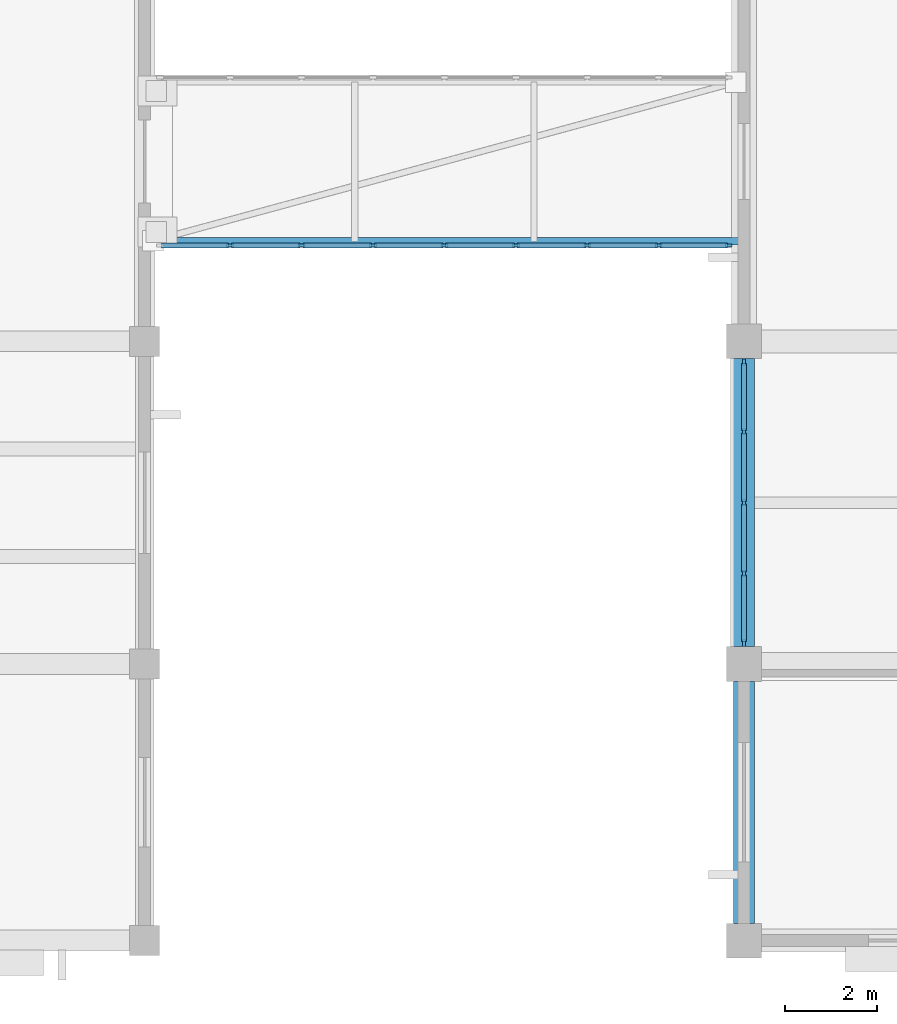
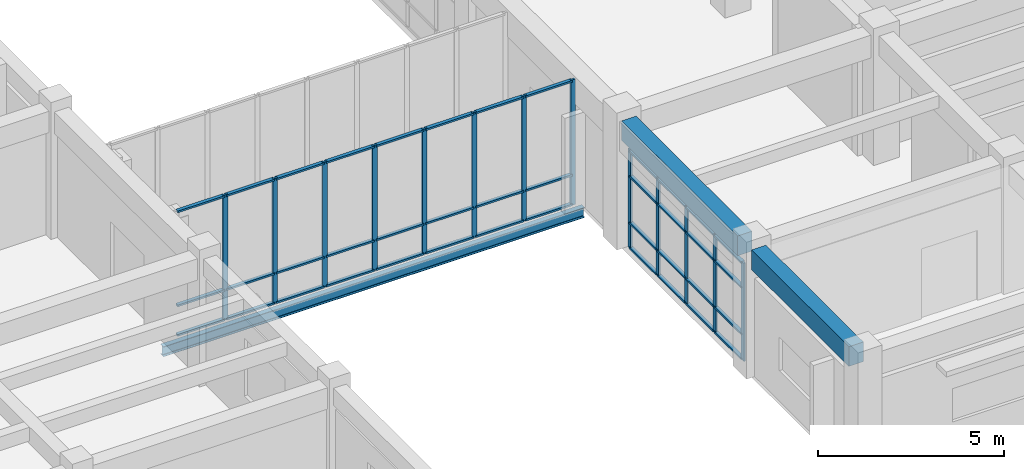
# One storey, part 20 of 70: 53 members, 3 beams, 2 elements without a shape of their own.
"""IFC4 building model written with IfcOpenShell, lengths in metres."""

from ifc_helpers import new_model, si_unit, direction, frame, origin, origin_2d, place, context, subcontext, project, spatial, rectangle, i_section, extrude, material, layer, layer_set, material_profile, profile_set, type_object, element, aggregate, save


model = new_model("IFC4")

# Units and contexts
model_context = context("Model", 3, precision=1e-05, world=origin(), true_north=direction((0.0, 1.0)))
body_context = subcontext(model_context, "Body", "Model", "MODEL_VIEW")
ifc_project = project(units=[si_unit("LENGTHUNIT", "METRE"), si_unit("AREAUNIT", "SQUARE_METRE"), si_unit("VOLUMEUNIT", "CUBIC_METRE"), si_unit("PLANEANGLEUNIT", "RADIAN"), si_unit("MASSUNIT", "GRAM", prefix="KILO")], contexts=[model_context])

# Site, building, storey
site_placement = place(None, origin())
site = spatial("IfcSite", under=ifc_project, at=site_placement, CompositionType="ELEMENT")
building_placement = place(site_placement, origin())
building = spatial("IfcBuilding", under=site, at=building_placement, Name="Naurynzar Civic Courthouse", CompositionType="ELEMENT")
storey_placement = place(building_placement, frame((0.0, 0.0, 5.39990234375)))
storey = spatial("IfcBuildingStorey", under=building, at=storey_placement, Name="L02", CompositionType="ELEMENT", Elevation=5.39990234375)

# Beams
ifc_material_1 = material(Name="Concrete C40/50", Category="concrete")
ifc_material_profile_1 = material_profile(ifc_material_1, rectangle(XDim=0.449951171875, YDim=0.64990234375, at=origin_2d()), Name="RCB 450x650")
ifc_profile_set_1 = profile_set([ifc_material_profile_1], Name="Concrete C40/50")
beam_type_1 = type_object("IfcBeamType", Name="BM-RC-450x650", PredefinedType="BEAM", material=ifc_profile_set_1)
beam_1_placement = place(storey_placement, frame((130.0, 4.375, 3.875), z_axis=(0.0, 1.0, 0.0), x_axis=(-1.0, 0.0, 0.0)))
element("IfcBeam", 1, at=beam_1_placement, inside=storey, type_object=beam_type_1, Name="V5 girder Y-2297 L02", PredefinedType="BEAM", context=body_context, shape_type="SweptSolid", body=[
    extrude(rectangle(XDim=0.449951171875, YDim=0.64990234375, at=origin_2d()), origin(), (0.0, 0.0, 1.0), 5.25),
])
beam_2_placement = place(storey_placement, frame((130.0, 10.375, 3.875), z_axis=(0.0, 1.0, 0.0), x_axis=(-1.0, 0.0, 0.0)))
element("IfcBeam", 2, at=beam_2_placement, inside=storey, type_object=beam_type_1, Name="V5 girder Y-2298 L02", PredefinedType="BEAM", context=body_context, shape_type="SweptSolid", body=[
    extrude(rectangle(XDim=0.449951171875, YDim=0.64990234375, at=origin_2d()), origin(), (0.0, 0.0, 1.0), 6.25),
])
ifc_material_2 = material(Name="Steel S355", Category="steel")
ifc_material_profile_2 = material_profile(ifc_material_2, i_section(OverallWidth=0.159912109375, OverallDepth=0.330078125, WebThickness=0.007568359375, FlangeThickness=0.011474609375, FilletRadius=0.01806640625, at=origin_2d()), Name="IPE 330")
ifc_profile_set_2 = profile_set([ifc_material_profile_2], Name="Steel S355")
beam_type_2 = type_object("IfcBeamType", Name="BM-STL-IPE330", PredefinedType="BEAM", material=ifc_profile_set_2)
beam_3_placement = place(storey_placement, frame((116.949951171875, 19.169921875, -0.40478515625), z_axis=(1.0, 0.0, 0.0), x_axis=(0.0, 1.0, 0.0)))
element("IfcBeam", 3, at=beam_3_placement, inside=storey, type_object=beam_type_2, Name="BR-E2 edge steel beam L02.1", PredefinedType="BEAM", context=body_context, shape_type="SweptSolid", body=[
    extrude(i_section(OverallWidth=0.159912109375, OverallDepth=0.330078125, WebThickness=0.007568359375, FlangeThickness=0.011474609375, FilletRadius=0.01806640625, at=origin_2d()), origin(), (0.0, 0.0, 1.0), 13.10009765625),
])

# Curtain wall, members
ifc_material_3 = material(Name="Aluminium 6063-T6", Category="aluminium")
ifc_layer_1 = layer(ifc_material_3, 0.179931640625)
ifc_layer_set_1 = layer_set([ifc_layer_1], Name="CW-UNIT-1500")
curtain_wall_type_1 = type_object("IfcCurtainWallType", Name="CW-UNIT-1500", PredefinedType="NOTDEFINED", material=ifc_layer_set_1)
curtain_wall_1_placement = place(storey_placement, origin())
curtain_wall_1 = element("IfcCurtainWall", 4, at=curtain_wall_1_placement, inside=storey, type_object=curtain_wall_type_1, Name="V5 unitised curtain wall 85 L02", PredefinedType="NOTDEFINED")
ifc_material_4 = material(Name="Aluminium 6063-T6", Category="aluminium")
ifc_material_profile_3 = material_profile(ifc_material_4, rectangle(XDim=0.06005859375, YDim=0.14990234375, at=origin_2d()), Name="ALU MULLION 60x150")
ifc_profile_set_3 = profile_set([ifc_material_profile_3], Name="Aluminium 6063-T6")
member_type_1 = type_object("IfcMemberType", Name="CWM-60x150", PredefinedType="MULLION", material=ifc_profile_set_3)
member_1_placement = place(storey_placement, frame((130.0, 10.455078125, 0.0), z_axis=(0.0, 0.0, 1.0), x_axis=(-1.0, 0.0, 0.0)))
member_1 = element("IfcMember", 5, at=member_1_placement, type_object=member_type_1, Name="CW-01 mullion 1", PredefinedType="MULLION", context=body_context, shape_type="SweptSolid", body=[
    extrude(rectangle(XDim=0.06005859375, YDim=0.14990234375, at=origin_2d()), origin(), (0.0, 0.0, 1.0), 3.22998046875),
])
member_2_placement = place(storey_placement, frame((130.0, 11.96240234375, 0.0), z_axis=(0.0, 0.0, 1.0), x_axis=(-1.0, 0.0, 0.0)))
member_2 = element("IfcMember", 6, at=member_2_placement, type_object=member_type_1, Name="CW-01 mullion 2", PredefinedType="MULLION", context=body_context, shape_type="SweptSolid", body=[
    extrude(rectangle(XDim=0.06005859375, YDim=0.14990234375, at=origin_2d()), origin(), (0.0, 0.0, 1.0), 3.22998046875),
])
member_3_placement = place(storey_placement, frame((130.0, 13.5, 0.0), z_axis=(0.0, 0.0, 1.0), x_axis=(-1.0, 0.0, 0.0)))
member_3 = element("IfcMember", 7, at=member_3_placement, type_object=member_type_1, Name="CW-01 mullion 3", PredefinedType="MULLION", context=body_context, shape_type="SweptSolid", body=[
    extrude(rectangle(XDim=0.06005859375, YDim=0.14990234375, at=origin_2d()), origin(), (0.0, 0.0, 1.0), 3.22998046875),
])
member_4_placement = place(storey_placement, frame((130.0, 15.03759765625, 0.0), z_axis=(0.0, 0.0, 1.0), x_axis=(-1.0, 0.0, 0.0)))
member_4 = element("IfcMember", 8, at=member_4_placement, type_object=member_type_1, Name="CW-01 mullion 4", PredefinedType="MULLION", context=body_context, shape_type="SweptSolid", body=[
    extrude(rectangle(XDim=0.06005859375, YDim=0.14990234375, at=origin_2d()), origin(), (0.0, 0.0, 1.0), 3.22998046875),
])
member_5_placement = place(storey_placement, frame((130.0, 16.544921875, 0.0), z_axis=(0.0, 0.0, 1.0), x_axis=(-1.0, 0.0, 0.0)))
member_5 = element("IfcMember", 9, at=member_5_placement, type_object=member_type_1, Name="CW-01 mullion 5", PredefinedType="MULLION", context=body_context, shape_type="SweptSolid", body=[
    extrude(rectangle(XDim=0.06005859375, YDim=0.14990234375, at=origin_2d()), origin(), (0.0, 0.0, 1.0), 3.22998046875),
])

ifc_material_5 = material(Name="Aluminium 6063-T6", Category="aluminium")
ifc_layer_2 = layer(ifc_material_5, 0.14990234375)
ifc_layer_set_2 = layer_set([ifc_layer_2], Name="CW-BRIDGE-1500")
curtain_wall_type_2 = type_object("IfcCurtainWallType", Name="CW-BRIDGE-1500", PredefinedType="USERDEFINED", material=ifc_layer_set_2)
curtain_wall_2_placement = place(storey_placement, origin())
curtain_wall_2 = element("IfcCurtainWall", 10, at=curtain_wall_2_placement, inside=storey, type_object=curtain_wall_type_2, Name="BR-E2 glazed bridge screen L02.1", ObjectType="GLAZED BRIDGE SCREEN", PredefinedType="USERDEFINED")
member_6_placement = place(storey_placement, frame((118.85009765625, 19.080078125, 0.0), z_axis=(0.0, 0.0, 1.0), x_axis=(0.0, 1.0, 0.0)))
member_6 = element("IfcMember", 11, at=member_6_placement, type_object=member_type_1, Name="CW-03 mullion 2", PredefinedType="MULLION", context=body_context, shape_type="SweptSolid", body=[
    extrude(rectangle(XDim=0.06005859375, YDim=0.14990234375, at=origin_2d()), origin(), (0.0, 0.0, 1.0), 4.1201171875),
])
member_7_placement = place(storey_placement, frame((120.39990234375, 19.080078125, 0.0), z_axis=(0.0, 0.0, 1.0), x_axis=(0.0, 1.0, 0.0)))
member_7 = element("IfcMember", 12, at=member_7_placement, type_object=member_type_1, Name="CW-03 mullion 3", PredefinedType="MULLION", context=body_context, shape_type="SweptSolid", body=[
    extrude(rectangle(XDim=0.06005859375, YDim=0.14990234375, at=origin_2d()), origin(), (0.0, 0.0, 1.0), 4.1201171875),
])
member_8_placement = place(storey_placement, frame((121.949951171875, 19.080078125, 0.0), z_axis=(0.0, 0.0, 1.0), x_axis=(0.0, 1.0, 0.0)))
member_8 = element("IfcMember", 13, at=member_8_placement, type_object=member_type_1, Name="CW-03 mullion 4", PredefinedType="MULLION", context=body_context, shape_type="SweptSolid", body=[
    extrude(rectangle(XDim=0.06005859375, YDim=0.14990234375, at=origin_2d()), origin(), (0.0, 0.0, 1.0), 4.1201171875),
])
member_9_placement = place(storey_placement, frame((123.5, 19.080078125, 0.0), z_axis=(0.0, 0.0, 1.0), x_axis=(0.0, 1.0, 0.0)))
member_9 = element("IfcMember", 14, at=member_9_placement, type_object=member_type_1, Name="CW-03 mullion 5", PredefinedType="MULLION", context=body_context, shape_type="SweptSolid", body=[
    extrude(rectangle(XDim=0.06005859375, YDim=0.14990234375, at=origin_2d()), origin(), (0.0, 0.0, 1.0), 4.1201171875),
])
member_10_placement = place(storey_placement, frame((125.050048828125, 19.080078125, 0.0), z_axis=(0.0, 0.0, 1.0), x_axis=(0.0, 1.0, 0.0)))
member_10 = element("IfcMember", 15, at=member_10_placement, type_object=member_type_1, Name="CW-03 mullion 6", PredefinedType="MULLION", context=body_context, shape_type="SweptSolid", body=[
    extrude(rectangle(XDim=0.06005859375, YDim=0.14990234375, at=origin_2d()), origin(), (0.0, 0.0, 1.0), 4.1201171875),
])
member_11_placement = place(storey_placement, frame((126.60009765625, 19.080078125, 0.0), z_axis=(0.0, 0.0, 1.0), x_axis=(0.0, 1.0, 0.0)))
member_11 = element("IfcMember", 16, at=member_11_placement, type_object=member_type_1, Name="CW-03 mullion 7", PredefinedType="MULLION", context=body_context, shape_type="SweptSolid", body=[
    extrude(rectangle(XDim=0.06005859375, YDim=0.14990234375, at=origin_2d()), origin(), (0.0, 0.0, 1.0), 4.1201171875),
])
member_12_placement = place(storey_placement, frame((128.14990234375, 19.080078125, 0.0), z_axis=(0.0, 0.0, 1.0), x_axis=(0.0, 1.0, 0.0)))
member_12 = element("IfcMember", 17, at=member_12_placement, type_object=member_type_1, Name="CW-03 mullion 8", PredefinedType="MULLION", context=body_context, shape_type="SweptSolid", body=[
    extrude(rectangle(XDim=0.06005859375, YDim=0.14990234375, at=origin_2d()), origin(), (0.0, 0.0, 1.0), 4.1201171875),
])
member_13_placement = place(storey_placement, frame((129.669921875, 19.080078125, 0.0), z_axis=(0.0, 0.0, 1.0), x_axis=(0.0, 1.0, 0.0)))
member_13 = element("IfcMember", 18, at=member_13_placement, type_object=member_type_1, Name="CW-03 mullion 9", PredefinedType="MULLION", context=body_context, shape_type="SweptSolid", body=[
    extrude(rectangle(XDim=0.06005859375, YDim=0.14990234375, at=origin_2d()), origin(), (0.0, 0.0, 1.0), 4.1201171875),
])

# Member
ifc_material_6 = material(Name="Aluminium 6063-T6", Category="aluminium")
ifc_material_profile_4 = material_profile(ifc_material_6, rectangle(XDim=0.110107421875, YDim=0.06005859375, at=origin_2d()), Name="ALU TRANSOM 60x110")
ifc_profile_set_4 = profile_set([ifc_material_profile_4], Name="Aluminium 6063-T6")
member_type_2 = type_object("IfcMemberType", Name="CWT-60x110", PredefinedType="USERDEFINED", material=ifc_profile_set_4)
member_14_placement = place(storey_placement, frame((130.0, 10.485107421875, 0.030029296875), z_axis=(0.0, 1.0, 0.0), x_axis=(-1.0, 0.0, 0.0)))
member_14 = element("IfcMember", 19, at=member_14_placement, type_object=member_type_2, Name="CW-01 transom 1.1", ObjectType="TRANSOM", PredefinedType="USERDEFINED", context=body_context, shape_type="SweptSolid", body=[
    extrude(rectangle(XDim=0.110107421875, YDim=0.06005859375, at=origin_2d()), origin(), (0.0, 0.0, 1.0), 1.447509765625),
])

member_15_placement = place(storey_placement, frame((130.0, 10.485107421875, 0.85009765625), z_axis=(0.0, 1.0, 0.0), x_axis=(-1.0, 0.0, 0.0)))
member_15 = element("IfcMember", 20, at=member_15_placement, type_object=member_type_2, Name="CW-01 transom 1.2", ObjectType="TRANSOM", PredefinedType="USERDEFINED", context=body_context, shape_type="SweptSolid", body=[
    extrude(rectangle(XDim=0.110107421875, YDim=0.06005859375, at=origin_2d()), origin(), (0.0, 0.0, 1.0), 1.447509765625),
])

member_16_placement = place(storey_placement, frame((130.0, 10.485107421875, 2.380126953125), z_axis=(0.0, 1.0, 0.0), x_axis=(-1.0, 0.0, 0.0)))
member_16 = element("IfcMember", 21, at=member_16_placement, type_object=member_type_2, Name="CW-01 transom 1.3", ObjectType="TRANSOM", PredefinedType="USERDEFINED", context=body_context, shape_type="SweptSolid", body=[
    extrude(rectangle(XDim=0.110107421875, YDim=0.06005859375, at=origin_2d()), origin(), (0.0, 0.0, 1.0), 1.447509765625),
])

member_17_placement = place(storey_placement, frame((130.0, 10.485107421875, 3.2001953125), z_axis=(0.0, 1.0, 0.0), x_axis=(-1.0, 0.0, 0.0)))
member_17 = element("IfcMember", 22, at=member_17_placement, type_object=member_type_2, Name="CW-01 transom 1.4", ObjectType="TRANSOM", PredefinedType="USERDEFINED", context=body_context, shape_type="SweptSolid", body=[
    extrude(rectangle(XDim=0.110107421875, YDim=0.06005859375, at=origin_2d()), origin(), (0.0, 0.0, 1.0), 1.447509765625),
])

member_18_placement = place(storey_placement, frame((130.0, 11.992431640625, 0.030029296875), z_axis=(0.0, 1.0, 0.0), x_axis=(-1.0, 0.0, 0.0)))
member_18 = element("IfcMember", 23, at=member_18_placement, type_object=member_type_2, Name="CW-01 transom 2.1", ObjectType="TRANSOM", PredefinedType="USERDEFINED", context=body_context, shape_type="SweptSolid", body=[
    extrude(rectangle(XDim=0.110107421875, YDim=0.06005859375, at=origin_2d()), origin(), (0.0, 0.0, 1.0), 1.4775390625),
])

member_19_placement = place(storey_placement, frame((130.0, 11.992431640625, 0.85009765625), z_axis=(0.0, 1.0, 0.0), x_axis=(-1.0, 0.0, 0.0)))
member_19 = element("IfcMember", 24, at=member_19_placement, type_object=member_type_2, Name="CW-01 transom 2.2", ObjectType="TRANSOM", PredefinedType="USERDEFINED", context=body_context, shape_type="SweptSolid", body=[
    extrude(rectangle(XDim=0.110107421875, YDim=0.06005859375, at=origin_2d()), origin(), (0.0, 0.0, 1.0), 1.4775390625),
])

member_20_placement = place(storey_placement, frame((130.0, 11.992431640625, 2.380126953125), z_axis=(0.0, 1.0, 0.0), x_axis=(-1.0, 0.0, 0.0)))
member_20 = element("IfcMember", 25, at=member_20_placement, type_object=member_type_2, Name="CW-01 transom 2.3", ObjectType="TRANSOM", PredefinedType="USERDEFINED", context=body_context, shape_type="SweptSolid", body=[
    extrude(rectangle(XDim=0.110107421875, YDim=0.06005859375, at=origin_2d()), origin(), (0.0, 0.0, 1.0), 1.4775390625),
])

member_21_placement = place(storey_placement, frame((130.0, 11.992431640625, 3.2001953125), z_axis=(0.0, 1.0, 0.0), x_axis=(-1.0, 0.0, 0.0)))
member_21 = element("IfcMember", 26, at=member_21_placement, type_object=member_type_2, Name="CW-01 transom 2.4", ObjectType="TRANSOM", PredefinedType="USERDEFINED", context=body_context, shape_type="SweptSolid", body=[
    extrude(rectangle(XDim=0.110107421875, YDim=0.06005859375, at=origin_2d()), origin(), (0.0, 0.0, 1.0), 1.4775390625),
])

member_22_placement = place(storey_placement, frame((130.0, 13.530029296875, 0.030029296875), z_axis=(0.0, 1.0, 0.0), x_axis=(-1.0, 0.0, 0.0)))
member_22 = element("IfcMember", 27, at=member_22_placement, type_object=member_type_2, Name="CW-01 transom 3.1", ObjectType="TRANSOM", PredefinedType="USERDEFINED", context=body_context, shape_type="SweptSolid", body=[
    extrude(rectangle(XDim=0.110107421875, YDim=0.06005859375, at=origin_2d()), origin(), (0.0, 0.0, 1.0), 1.4775390625),
])

member_23_placement = place(storey_placement, frame((130.0, 13.530029296875, 0.85009765625), z_axis=(0.0, 1.0, 0.0), x_axis=(-1.0, 0.0, 0.0)))
member_23 = element("IfcMember", 28, at=member_23_placement, type_object=member_type_2, Name="CW-01 transom 3.2", ObjectType="TRANSOM", PredefinedType="USERDEFINED", context=body_context, shape_type="SweptSolid", body=[
    extrude(rectangle(XDim=0.110107421875, YDim=0.06005859375, at=origin_2d()), origin(), (0.0, 0.0, 1.0), 1.4775390625),
])

member_24_placement = place(storey_placement, frame((130.0, 13.530029296875, 2.380126953125), z_axis=(0.0, 1.0, 0.0), x_axis=(-1.0, 0.0, 0.0)))
member_24 = element("IfcMember", 29, at=member_24_placement, type_object=member_type_2, Name="CW-01 transom 3.3", ObjectType="TRANSOM", PredefinedType="USERDEFINED", context=body_context, shape_type="SweptSolid", body=[
    extrude(rectangle(XDim=0.110107421875, YDim=0.06005859375, at=origin_2d()), origin(), (0.0, 0.0, 1.0), 1.4775390625),
])

member_25_placement = place(storey_placement, frame((130.0, 13.530029296875, 3.2001953125), z_axis=(0.0, 1.0, 0.0), x_axis=(-1.0, 0.0, 0.0)))
member_25 = element("IfcMember", 30, at=member_25_placement, type_object=member_type_2, Name="CW-01 transom 3.4", ObjectType="TRANSOM", PredefinedType="USERDEFINED", context=body_context, shape_type="SweptSolid", body=[
    extrude(rectangle(XDim=0.110107421875, YDim=0.06005859375, at=origin_2d()), origin(), (0.0, 0.0, 1.0), 1.4775390625),
])

member_26_placement = place(storey_placement, frame((130.0, 15.0673828125, 0.030029296875), z_axis=(0.0, 1.0, 0.0), x_axis=(-1.0, 0.0, 0.0)))
member_26 = element("IfcMember", 31, at=member_26_placement, type_object=member_type_2, Name="CW-01 transom 4.1", ObjectType="TRANSOM", PredefinedType="USERDEFINED", context=body_context, shape_type="SweptSolid", body=[
    extrude(rectangle(XDim=0.110107421875, YDim=0.06005859375, at=origin_2d()), origin(), (0.0, 0.0, 1.0), 1.447509765625),
])

member_27_placement = place(storey_placement, frame((130.0, 15.0673828125, 0.85009765625), z_axis=(0.0, 1.0, 0.0), x_axis=(-1.0, 0.0, 0.0)))
member_27 = element("IfcMember", 32, at=member_27_placement, type_object=member_type_2, Name="CW-01 transom 4.2", ObjectType="TRANSOM", PredefinedType="USERDEFINED", context=body_context, shape_type="SweptSolid", body=[
    extrude(rectangle(XDim=0.110107421875, YDim=0.06005859375, at=origin_2d()), origin(), (0.0, 0.0, 1.0), 1.447509765625),
])

member_28_placement = place(storey_placement, frame((130.0, 15.0673828125, 2.380126953125), z_axis=(0.0, 1.0, 0.0), x_axis=(-1.0, 0.0, 0.0)))
member_28 = element("IfcMember", 33, at=member_28_placement, type_object=member_type_2, Name="CW-01 transom 4.3", ObjectType="TRANSOM", PredefinedType="USERDEFINED", context=body_context, shape_type="SweptSolid", body=[
    extrude(rectangle(XDim=0.110107421875, YDim=0.06005859375, at=origin_2d()), origin(), (0.0, 0.0, 1.0), 1.447509765625),
])

member_29_placement = place(storey_placement, frame((130.0, 15.0673828125, 3.2001953125), z_axis=(0.0, 1.0, 0.0), x_axis=(-1.0, 0.0, 0.0)))
member_29 = element("IfcMember", 34, at=member_29_placement, type_object=member_type_2, Name="CW-01 transom 4.4", ObjectType="TRANSOM", PredefinedType="USERDEFINED", context=body_context, shape_type="SweptSolid", body=[
    extrude(rectangle(XDim=0.110107421875, YDim=0.06005859375, at=origin_2d()), origin(), (0.0, 0.0, 1.0), 1.447509765625),
])

aggregate(curtain_wall_1, [member_1, member_2, member_3, member_4, member_5, member_14, member_15, member_16, member_17, member_18, member_19, member_20, member_21, member_22, member_23, member_24, member_25, member_26, member_27, member_28, member_29])

member_30_placement = place(storey_placement, frame((117.360107421875, 19.080078125, 0.030029296875), z_axis=(1.0, 0.0, 0.0), x_axis=(0.0, 1.0, 0.0)))
member_30 = element("IfcMember", 35, at=member_30_placement, type_object=member_type_2, Name="CW-03 transom 1.1", ObjectType="TRANSOM", PredefinedType="USERDEFINED", context=body_context, shape_type="SweptSolid", body=[
    extrude(rectangle(XDim=0.110107421875, YDim=0.06005859375, at=origin_2d()), origin(), (0.0, 0.0, 1.0), 1.4599609375),
])

member_31_placement = place(storey_placement, frame((117.360107421875, 19.080078125, 1.0), z_axis=(1.0, 0.0, 0.0), x_axis=(0.0, 1.0, 0.0)))
member_31 = element("IfcMember", 36, at=member_31_placement, type_object=member_type_2, Name="CW-03 transom 1.2", ObjectType="TRANSOM", PredefinedType="USERDEFINED", context=body_context, shape_type="SweptSolid", body=[
    extrude(rectangle(XDim=0.110107421875, YDim=0.06005859375, at=origin_2d()), origin(), (0.0, 0.0, 1.0), 1.4599609375),
])

member_32_placement = place(storey_placement, frame((117.360107421875, 19.080078125, 4.090087890625), z_axis=(1.0, 0.0, 0.0), x_axis=(0.0, 1.0, 0.0)))
member_32 = element("IfcMember", 37, at=member_32_placement, type_object=member_type_2, Name="CW-03 transom 1.3", ObjectType="TRANSOM", PredefinedType="USERDEFINED", context=body_context, shape_type="SweptSolid", body=[
    extrude(rectangle(XDim=0.110107421875, YDim=0.06005859375, at=origin_2d()), origin(), (0.0, 0.0, 1.0), 1.4599609375),
])

member_33_placement = place(storey_placement, frame((118.8798828125, 19.080078125, 0.030029296875), z_axis=(1.0, 0.0, 0.0), x_axis=(0.0, 1.0, 0.0)))
member_33 = element("IfcMember", 38, at=member_33_placement, type_object=member_type_2, Name="CW-03 transom 2.1", ObjectType="TRANSOM", PredefinedType="USERDEFINED", context=body_context, shape_type="SweptSolid", body=[
    extrude(rectangle(XDim=0.110107421875, YDim=0.06005859375, at=origin_2d()), origin(), (0.0, 0.0, 1.0), 1.490234375),
])

member_34_placement = place(storey_placement, frame((118.8798828125, 19.080078125, 1.0), z_axis=(1.0, 0.0, 0.0), x_axis=(0.0, 1.0, 0.0)))
member_34 = element("IfcMember", 39, at=member_34_placement, type_object=member_type_2, Name="CW-03 transom 2.2", ObjectType="TRANSOM", PredefinedType="USERDEFINED", context=body_context, shape_type="SweptSolid", body=[
    extrude(rectangle(XDim=0.110107421875, YDim=0.06005859375, at=origin_2d()), origin(), (0.0, 0.0, 1.0), 1.490234375),
])

member_35_placement = place(storey_placement, frame((118.8798828125, 19.080078125, 4.090087890625), z_axis=(1.0, 0.0, 0.0), x_axis=(0.0, 1.0, 0.0)))
member_35 = element("IfcMember", 40, at=member_35_placement, type_object=member_type_2, Name="CW-03 transom 2.3", ObjectType="TRANSOM", PredefinedType="USERDEFINED", context=body_context, shape_type="SweptSolid", body=[
    extrude(rectangle(XDim=0.110107421875, YDim=0.06005859375, at=origin_2d()), origin(), (0.0, 0.0, 1.0), 1.490234375),
])

member_36_placement = place(storey_placement, frame((120.429931640625, 19.080078125, 0.030029296875), z_axis=(1.0, 0.0, 0.0), x_axis=(0.0, 1.0, 0.0)))
member_36 = element("IfcMember", 41, at=member_36_placement, type_object=member_type_2, Name="CW-03 transom 3.1", ObjectType="TRANSOM", PredefinedType="USERDEFINED", context=body_context, shape_type="SweptSolid", body=[
    extrude(rectangle(XDim=0.110107421875, YDim=0.06005859375, at=origin_2d()), origin(), (0.0, 0.0, 1.0), 1.489990234375),
])

member_37_placement = place(storey_placement, frame((120.429931640625, 19.080078125, 1.0), z_axis=(1.0, 0.0, 0.0), x_axis=(0.0, 1.0, 0.0)))
member_37 = element("IfcMember", 42, at=member_37_placement, type_object=member_type_2, Name="CW-03 transom 3.2", ObjectType="TRANSOM", PredefinedType="USERDEFINED", context=body_context, shape_type="SweptSolid", body=[
    extrude(rectangle(XDim=0.110107421875, YDim=0.06005859375, at=origin_2d()), origin(), (0.0, 0.0, 1.0), 1.489990234375),
])

member_38_placement = place(storey_placement, frame((120.429931640625, 19.080078125, 4.090087890625), z_axis=(1.0, 0.0, 0.0), x_axis=(0.0, 1.0, 0.0)))
member_38 = element("IfcMember", 43, at=member_38_placement, type_object=member_type_2, Name="CW-03 transom 3.3", ObjectType="TRANSOM", PredefinedType="USERDEFINED", context=body_context, shape_type="SweptSolid", body=[
    extrude(rectangle(XDim=0.110107421875, YDim=0.06005859375, at=origin_2d()), origin(), (0.0, 0.0, 1.0), 1.489990234375),
])

member_39_placement = place(storey_placement, frame((121.97998046875, 19.080078125, 0.030029296875), z_axis=(1.0, 0.0, 0.0), x_axis=(0.0, 1.0, 0.0)))
member_39 = element("IfcMember", 44, at=member_39_placement, type_object=member_type_2, Name="CW-03 transom 4.1", ObjectType="TRANSOM", PredefinedType="USERDEFINED", context=body_context, shape_type="SweptSolid", body=[
    extrude(rectangle(XDim=0.110107421875, YDim=0.06005859375, at=origin_2d()), origin(), (0.0, 0.0, 1.0), 1.489990234375),
])

member_40_placement = place(storey_placement, frame((121.97998046875, 19.080078125, 1.0), z_axis=(1.0, 0.0, 0.0), x_axis=(0.0, 1.0, 0.0)))
member_40 = element("IfcMember", 45, at=member_40_placement, type_object=member_type_2, Name="CW-03 transom 4.2", ObjectType="TRANSOM", PredefinedType="USERDEFINED", context=body_context, shape_type="SweptSolid", body=[
    extrude(rectangle(XDim=0.110107421875, YDim=0.06005859375, at=origin_2d()), origin(), (0.0, 0.0, 1.0), 1.489990234375),
])

member_41_placement = place(storey_placement, frame((121.97998046875, 19.080078125, 4.090087890625), z_axis=(1.0, 0.0, 0.0), x_axis=(0.0, 1.0, 0.0)))
member_41 = element("IfcMember", 46, at=member_41_placement, type_object=member_type_2, Name="CW-03 transom 4.3", ObjectType="TRANSOM", PredefinedType="USERDEFINED", context=body_context, shape_type="SweptSolid", body=[
    extrude(rectangle(XDim=0.110107421875, YDim=0.06005859375, at=origin_2d()), origin(), (0.0, 0.0, 1.0), 1.489990234375),
])

member_42_placement = place(storey_placement, frame((123.530029296875, 19.080078125, 0.030029296875), z_axis=(1.0, 0.0, 0.0), x_axis=(0.0, 1.0, 0.0)))
member_42 = element("IfcMember", 47, at=member_42_placement, type_object=member_type_2, Name="CW-03 transom 5.1", ObjectType="TRANSOM", PredefinedType="USERDEFINED", context=body_context, shape_type="SweptSolid", body=[
    extrude(rectangle(XDim=0.110107421875, YDim=0.06005859375, at=origin_2d()), origin(), (0.0, 0.0, 1.0), 1.489990234375),
])

member_43_placement = place(storey_placement, frame((123.530029296875, 19.080078125, 1.0), z_axis=(1.0, 0.0, 0.0), x_axis=(0.0, 1.0, 0.0)))
member_43 = element("IfcMember", 48, at=member_43_placement, type_object=member_type_2, Name="CW-03 transom 5.2", ObjectType="TRANSOM", PredefinedType="USERDEFINED", context=body_context, shape_type="SweptSolid", body=[
    extrude(rectangle(XDim=0.110107421875, YDim=0.06005859375, at=origin_2d()), origin(), (0.0, 0.0, 1.0), 1.489990234375),
])

member_44_placement = place(storey_placement, frame((123.530029296875, 19.080078125, 4.090087890625), z_axis=(1.0, 0.0, 0.0), x_axis=(0.0, 1.0, 0.0)))
member_44 = element("IfcMember", 49, at=member_44_placement, type_object=member_type_2, Name="CW-03 transom 5.3", ObjectType="TRANSOM", PredefinedType="USERDEFINED", context=body_context, shape_type="SweptSolid", body=[
    extrude(rectangle(XDim=0.110107421875, YDim=0.06005859375, at=origin_2d()), origin(), (0.0, 0.0, 1.0), 1.489990234375),
])

member_45_placement = place(storey_placement, frame((125.080078125, 19.080078125, 0.030029296875), z_axis=(1.0, 0.0, 0.0), x_axis=(0.0, 1.0, 0.0)))
member_45 = element("IfcMember", 50, at=member_45_placement, type_object=member_type_2, Name="CW-03 transom 6.1", ObjectType="TRANSOM", PredefinedType="USERDEFINED", context=body_context, shape_type="SweptSolid", body=[
    extrude(rectangle(XDim=0.110107421875, YDim=0.06005859375, at=origin_2d()), origin(), (0.0, 0.0, 1.0), 1.489990234375),
])

member_46_placement = place(storey_placement, frame((125.080078125, 19.080078125, 1.0), z_axis=(1.0, 0.0, 0.0), x_axis=(0.0, 1.0, 0.0)))
member_46 = element("IfcMember", 51, at=member_46_placement, type_object=member_type_2, Name="CW-03 transom 6.2", ObjectType="TRANSOM", PredefinedType="USERDEFINED", context=body_context, shape_type="SweptSolid", body=[
    extrude(rectangle(XDim=0.110107421875, YDim=0.06005859375, at=origin_2d()), origin(), (0.0, 0.0, 1.0), 1.489990234375),
])

member_47_placement = place(storey_placement, frame((125.080078125, 19.080078125, 4.090087890625), z_axis=(1.0, 0.0, 0.0), x_axis=(0.0, 1.0, 0.0)))
member_47 = element("IfcMember", 52, at=member_47_placement, type_object=member_type_2, Name="CW-03 transom 6.3", ObjectType="TRANSOM", PredefinedType="USERDEFINED", context=body_context, shape_type="SweptSolid", body=[
    extrude(rectangle(XDim=0.110107421875, YDim=0.06005859375, at=origin_2d()), origin(), (0.0, 0.0, 1.0), 1.489990234375),
])

member_48_placement = place(storey_placement, frame((126.6298828125, 19.080078125, 0.030029296875), z_axis=(1.0, 0.0, 0.0), x_axis=(0.0, 1.0, 0.0)))
member_48 = element("IfcMember", 53, at=member_48_placement, type_object=member_type_2, Name="CW-03 transom 7.1", ObjectType="TRANSOM", PredefinedType="USERDEFINED", context=body_context, shape_type="SweptSolid", body=[
    extrude(rectangle(XDim=0.110107421875, YDim=0.06005859375, at=origin_2d()), origin(), (0.0, 0.0, 1.0), 1.490234375),
])

member_49_placement = place(storey_placement, frame((126.6298828125, 19.080078125, 1.0), z_axis=(1.0, 0.0, 0.0), x_axis=(0.0, 1.0, 0.0)))
member_49 = element("IfcMember", 54, at=member_49_placement, type_object=member_type_2, Name="CW-03 transom 7.2", ObjectType="TRANSOM", PredefinedType="USERDEFINED", context=body_context, shape_type="SweptSolid", body=[
    extrude(rectangle(XDim=0.110107421875, YDim=0.06005859375, at=origin_2d()), origin(), (0.0, 0.0, 1.0), 1.490234375),
])

member_50_placement = place(storey_placement, frame((126.6298828125, 19.080078125, 4.090087890625), z_axis=(1.0, 0.0, 0.0), x_axis=(0.0, 1.0, 0.0)))
member_50 = element("IfcMember", 55, at=member_50_placement, type_object=member_type_2, Name="CW-03 transom 7.3", ObjectType="TRANSOM", PredefinedType="USERDEFINED", context=body_context, shape_type="SweptSolid", body=[
    extrude(rectangle(XDim=0.110107421875, YDim=0.06005859375, at=origin_2d()), origin(), (0.0, 0.0, 1.0), 1.490234375),
])

member_51_placement = place(storey_placement, frame((128.179931640625, 19.080078125, 0.030029296875), z_axis=(1.0, 0.0, 0.0), x_axis=(0.0, 1.0, 0.0)))
member_51 = element("IfcMember", 56, at=member_51_placement, type_object=member_type_2, Name="CW-03 transom 8.1", ObjectType="TRANSOM", PredefinedType="USERDEFINED", context=body_context, shape_type="SweptSolid", body=[
    extrude(rectangle(XDim=0.110107421875, YDim=0.06005859375, at=origin_2d()), origin(), (0.0, 0.0, 1.0), 1.4599609375),
])

member_52_placement = place(storey_placement, frame((128.179931640625, 19.080078125, 1.0), z_axis=(1.0, 0.0, 0.0), x_axis=(0.0, 1.0, 0.0)))
member_52 = element("IfcMember", 57, at=member_52_placement, type_object=member_type_2, Name="CW-03 transom 8.2", ObjectType="TRANSOM", PredefinedType="USERDEFINED", context=body_context, shape_type="SweptSolid", body=[
    extrude(rectangle(XDim=0.110107421875, YDim=0.06005859375, at=origin_2d()), origin(), (0.0, 0.0, 1.0), 1.4599609375),
])

member_53_placement = place(storey_placement, frame((128.179931640625, 19.080078125, 4.090087890625), z_axis=(1.0, 0.0, 0.0), x_axis=(0.0, 1.0, 0.0)))
member_53 = element("IfcMember", 58, at=member_53_placement, type_object=member_type_2, Name="CW-03 transom 8.3", ObjectType="TRANSOM", PredefinedType="USERDEFINED", context=body_context, shape_type="SweptSolid", body=[
    extrude(rectangle(XDim=0.110107421875, YDim=0.06005859375, at=origin_2d()), origin(), (0.0, 0.0, 1.0), 1.4599609375),
])

aggregate(curtain_wall_2, [member_6, member_7, member_8, member_9, member_10, member_11, member_12, member_13, member_30, member_31, member_32, member_33, member_34, member_35, member_36, member_37, member_38, member_39, member_40, member_41, member_42, member_43, member_44, member_45, member_46, member_47, member_48, member_49, member_50, member_51, member_52, member_53])

save(model, "model.ifc")
